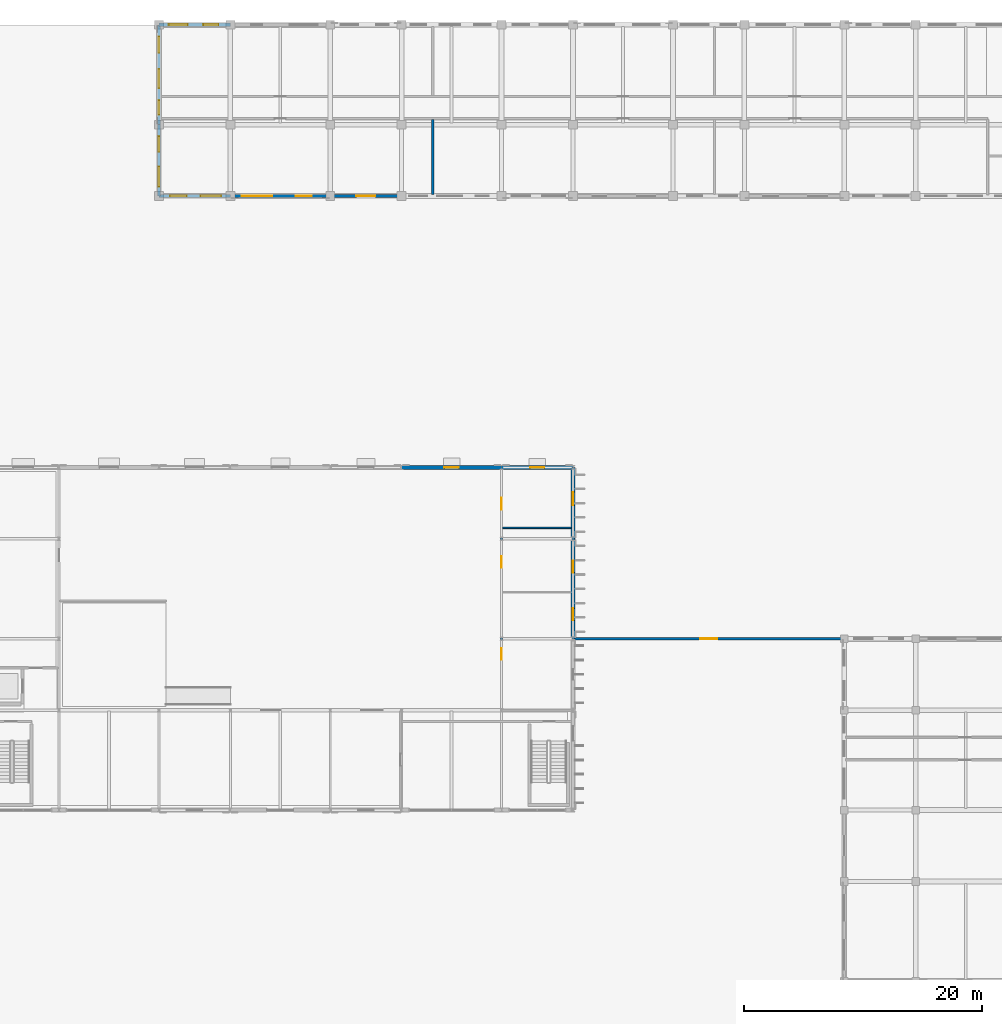
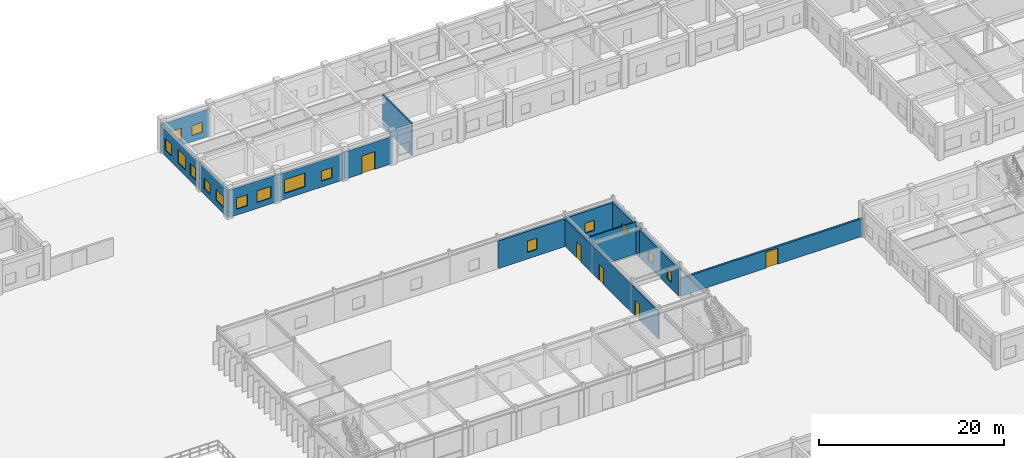
# One storey, part 39 of 67: 16 windows, 14 walls, 5 doors, 21 openings.
"""IFC4 building model written with IfcOpenShell, lengths in metres."""

from ifc_helpers import new_model, si_unit, direction, frame, frame_2d, origin, place, context, subcontext, project, spatial, rectangle, extrude, material, layer, layer_set, type_object, element, fill, save


model = new_model("IFC4")

# Units and contexts
model_context = context("Model", 3, precision=1e-05, world=origin(), true_north=direction((0.0, 1.0)))
body_context = subcontext(model_context, "Body", "Model", "MODEL_VIEW")
ifc_project = project(units=[si_unit("LENGTHUNIT", "METRE"), si_unit("AREAUNIT", "SQUARE_METRE"), si_unit("VOLUMEUNIT", "CUBIC_METRE"), si_unit("PLANEANGLEUNIT", "RADIAN"), si_unit("MASSUNIT", "GRAM", prefix="KILO"), si_unit("THERMODYNAMICTEMPERATUREUNIT", "KELVIN")], contexts=[model_context])

# Site, building, storey
site_placement = place(None, origin())
site = spatial("IfcSite", under=ifc_project, at=site_placement, CompositionType="ELEMENT")
building_placement = place(site_placement, origin())
building = spatial("IfcBuilding", under=site, at=building_placement, Name="Thalorik Housing Commons", CompositionType="ELEMENT")
storey_placement = place(building_placement, origin())
storey = spatial("IfcBuildingStorey", under=building, at=storey_placement, Name="L00", CompositionType="ELEMENT", Elevation=0.0)

# Wall, opening, door
ifc_material_1 = material(Name="White precast concrete C40/50", Category="concrete")
ifc_layer_1 = layer(ifc_material_1, 0.2451171875, Name="White precast concrete C40/50", Category="concrete")
ifc_layer_set_1 = layer_set([ifc_layer_1], Name="White precast concrete C40/50")
wall_type_1 = type_object("IfcWallType", Name="ARC-WAL-EXT-245", PredefinedType="STANDARD", material=ifc_layer_set_1)
wall_1_placement = place(storey_placement, frame((115.199951171875, 72.0, 0.0), z_axis=(0.0, 0.0, 1.0), x_axis=(1.0, 0.0, 0.0)))
wall_1 = element("IfcWall", 1, at=wall_1_placement, inside=storey, type_object=wall_type_1, Name="L00 Exterior Wall WAL-L00-CGATE-04", PredefinedType="STANDARD", context=body_context, shape_type="SweptSolid", body=[
    extrude(rectangle(XDim=22.800048828125, YDim=0.2451171875, at=frame_2d((11.39990234375, 0.0))), origin(), (0.0, 0.0, 1.0), 2.35009765625),
])
opening_1_placement = place(wall_1_placement, frame((10.675048828125, 0.0, 0.0)))
opening_1 = element("IfcOpeningElement", 2, at=opening_1_placement, cuts=wall_1, Name="Opening ED-0458", PredefinedType="OPENING", context=body_context, shape_type="SweptSolid", body=[
    extrude(rectangle(XDim=1.449951171875, YDim=2.10009765625, at=frame_2d((0.72509765625, 1.050048828125))), frame((0.0, 0.132568359375, 0.0), z_axis=(0.0, -1.0, 0.0), x_axis=(1.0, 0.0, 0.0)), (0.0, 0.0, 1.0), 0.26513671875),
])
ifc_material_2 = material(Name="Steel S355", Category="steel")
door_type_1 = type_object("IfcDoorType", Name="ARC-GT-COURT-1450", OperationType="NOTDEFINED", PredefinedType="GATE", material=ifc_material_2)
door_1_placement = place(opening_1_placement, frame((1.449951171875, 0.0, 0.0), z_axis=(0.0, 0.0, 1.0), x_axis=(-1.0, 0.0, 0.0)))
door_1 = element("IfcDoor", 3, at=door_1_placement, inside=storey, type_object=door_type_1, Name="L00 Courtyard Access Gate 4", OperationType="SINGLE_SWING_LEFT", OverallHeight=2.10009765625, OverallWidth=1.449951171875, PredefinedType="GATE", context=body_context, shape_type="SweptSolid", body=[
    extrude(rectangle(XDim=1.449951171875, YDim=2.10009765625, at=frame_2d((0.72509765625, 1.050048828125))), frame((0.0, 0.02490234375, 0.0), z_axis=(0.0, -1.0, 0.0), x_axis=(1.0, 0.0, 0.0)), (0.0, 0.0, 1.0), 0.050048828125),
])
fill(opening_1, door_1)

# Wall, openings, windows
ifc_layer_2 = layer(ifc_material_1, 0.2548828125, Name="White precast concrete C40/50", Category="concrete")
ifc_layer_set_2 = layer_set([ifc_layer_2], Name="White precast concrete C40/50")
wall_type_2 = type_object("IfcWallType", Name="ARC-WAL-EXT-255", PredefinedType="STANDARD", material=ifc_layer_set_2)
wall_2_placement = place(storey_placement, frame((86.39990234375, 123.60009765625, 0.0), z_axis=(0.0, 0.0, 1.0), x_axis=(-1.0, 0.0, 0.0)))
wall_2 = element("IfcWall", 4, at=wall_2_placement, inside=storey, type_object=wall_type_2, Name="L00 Exterior Wall WAL-EXT-L00-B-0383", PredefinedType="STANDARD", context=body_context, shape_type="SweptSolid", body=[
    extrude(rectangle(XDim=6.0, YDim=0.2548828125, at=frame_2d((3.0, 0.0))), origin(), (0.0, 0.0, 1.0), 3.5849609375),
])
opening_2_placement = place(wall_2_placement, frame((1.0048828125, 0.0, 0.780029296875)))
opening_2 = element("IfcOpeningElement", 5, at=opening_2_placement, cuts=wall_2, Name="Opening W-46", PredefinedType="OPENING", context=body_context, shape_type="SweptSolid", body=[
    extrude(rectangle(XDim=1.25, YDim=1.300048828125, at=frame_2d((0.625, 0.64990234375))), frame((0.0, 0.137451171875, 0.0), z_axis=(0.0, -1.0, 0.0), x_axis=(1.0, 0.0, 0.0)), (0.0, 0.0, 1.0), 0.27490234375),
])
opening_3_placement = place(wall_2_placement, frame((3.580078125, 0.0, 0.780029296875)))
opening_3 = element("IfcOpeningElement", 6, at=opening_3_placement, cuts=wall_2, Name="Opening W-53", PredefinedType="OPENING", context=body_context, shape_type="SweptSolid", body=[
    extrude(rectangle(XDim=1.580078125, YDim=1.47998046875, at=frame_2d((0.7900390625, 0.739990234375))), frame((0.0, 0.137451171875, 0.0), z_axis=(0.0, -1.0, 0.0), x_axis=(1.0, 0.0, 0.0)), (0.0, 0.0, 1.0), 0.27490234375),
])
ifc_material_3 = material(Name="Anodised aluminium and solar-control low-E glass", Category="aluminium")
window_type_1 = type_object("IfcWindowType", Name="ARC-WIN-46", PartitioningType="SINGLE_PANEL", PredefinedType="WINDOW", material=ifc_material_3)
window_1_placement = place(opening_2_placement, origin())
window_1 = element("IfcWindow", 7, at=window_1_placement, inside=storey, type_object=window_type_1, Name="L00 Facade Window 680", OverallHeight=1.300048828125, OverallWidth=1.25, PartitioningType="SINGLE_PANEL", PredefinedType="WINDOW", context=body_context, shape_type="SweptSolid", body=[
    extrude(rectangle(XDim=1.25, YDim=1.300048828125, at=frame_2d((0.625, 0.64990234375))), frame((0.0, 0.030029296875, 0.0), z_axis=(0.0, -1.0, 0.0), x_axis=(1.0, 0.0, 0.0)), (0.0, 0.0, 1.0), 0.06005859375),
])
fill(opening_2, window_1)
window_type_2 = type_object("IfcWindowType", Name="ARC-WIN-53", PartitioningType="SINGLE_PANEL", PredefinedType="WINDOW", material=ifc_material_3)
window_2_placement = place(opening_3_placement, origin())
window_2 = element("IfcWindow", 8, at=window_2_placement, inside=storey, type_object=window_type_2, Name="L00 Facade Window 681", OverallHeight=1.47998046875, OverallWidth=1.580078125, PartitioningType="SINGLE_PANEL", PredefinedType="WINDOW", context=body_context, shape_type="SweptSolid", body=[
    extrude(rectangle(XDim=1.580078125, YDim=1.47998046875, at=frame_2d((0.7900390625, 0.739990234375))), frame((0.0, 0.030029296875, 0.0), z_axis=(0.0, -1.0, 0.0), x_axis=(1.0, 0.0, 0.0)), (0.0, 0.0, 1.0), 0.06005859375),
])
fill(opening_3, window_2)

wall_3_placement = place(storey_placement, frame((80.39990234375, 123.60009765625, 0.0), z_axis=(0.0, 0.0, 1.0), x_axis=(0.0, -1.0, 0.0)))
wall_3 = element("IfcWall", 9, at=wall_3_placement, inside=storey, type_object=wall_type_2, Name="L00 Exterior Wall WAL-EXT-L00-B-0384", PredefinedType="STANDARD", context=body_context, shape_type="SweptSolid", body=[
    extrude(rectangle(XDim=8.400146484375, YDim=0.2548828125, at=frame_2d((4.2001953125, 0.0))), origin(), (0.0, 0.0, 1.0), 3.485107421875),
])
opening_4_placement = place(wall_3_placement, frame((1.007568359375, 0.0, 0.780029296875)))
opening_4 = element("IfcOpeningElement", 10, at=opening_4_placement, cuts=wall_3, Name="Opening W-07", PredefinedType="OPENING", context=body_context, shape_type="SweptSolid", body=[
    extrude(rectangle(XDim=1.35009765625, YDim=1.550048828125, at=frame_2d((0.675048828125, 0.77490234375))), frame((0.0, 0.137451171875, 0.0), z_axis=(0.0, -1.0, 0.0), x_axis=(1.0, 0.0, 0.0)), (0.0, 0.0, 1.0), 0.27490234375),
])
opening_5_placement = place(wall_3_placement, frame((3.7275390625, 0.0, 0.780029296875)))
opening_5 = element("IfcOpeningElement", 11, at=opening_5_placement, cuts=wall_3, Name="Opening W-14", PredefinedType="OPENING", context=body_context, shape_type="SweptSolid", body=[
    extrude(rectangle(XDim=1.60009765625, YDim=1.75, at=frame_2d((0.800048828125, 0.875))), frame((0.0, 0.137451171875, 0.0), z_axis=(0.0, -1.0, 0.0), x_axis=(1.0, 0.0, 0.0)), (0.0, 0.0, 1.0), 0.27490234375),
])
opening_6_placement = place(wall_3_placement, frame((6.35009765625, 0.0, 0.780029296875)))
opening_6 = element("IfcOpeningElement", 12, at=opening_6_placement, cuts=wall_3, Name="Opening W-05", PredefinedType="OPENING", context=body_context, shape_type="SweptSolid", body=[
    extrude(rectangle(XDim=1.199951171875, YDim=1.5, at=frame_2d((0.60009765625, 0.75))), frame((0.0, 0.137451171875, 0.0), z_axis=(0.0, -1.0, 0.0), x_axis=(1.0, 0.0, 0.0)), (0.0, 0.0, 1.0), 0.27490234375),
])
window_type_3 = type_object("IfcWindowType", Name="ARC-WIN-05", PartitioningType="SINGLE_PANEL", PredefinedType="WINDOW", material=ifc_material_3)
window_3_placement = place(opening_6_placement, origin())
window_3 = element("IfcWindow", 13, at=window_3_placement, inside=storey, type_object=window_type_3, Name="L00 Facade Window 684", OverallHeight=1.5, OverallWidth=1.199951171875, PartitioningType="SINGLE_PANEL", PredefinedType="WINDOW", context=body_context, shape_type="SweptSolid", body=[
    extrude(rectangle(XDim=1.199951171875, YDim=1.5, at=frame_2d((0.60009765625, 0.75))), frame((0.0, 0.030029296875, 0.0), z_axis=(0.0, -1.0, 0.0), x_axis=(1.0, 0.0, 0.0)), (0.0, 0.0, 1.0), 0.06005859375),
])
fill(opening_6, window_3)
window_type_4 = type_object("IfcWindowType", Name="ARC-WIN-07", PartitioningType="SINGLE_PANEL", PredefinedType="WINDOW", material=ifc_material_3)
window_4_placement = place(opening_4_placement, origin())
window_4 = element("IfcWindow", 14, at=window_4_placement, inside=storey, type_object=window_type_4, Name="L00 Facade Window 682", OverallHeight=1.550048828125, OverallWidth=1.35009765625, PartitioningType="SINGLE_PANEL", PredefinedType="WINDOW", context=body_context, shape_type="SweptSolid", body=[
    extrude(rectangle(XDim=1.35009765625, YDim=1.550048828125, at=frame_2d((0.675048828125, 0.77490234375))), frame((0.0, 0.030029296875, 0.0), z_axis=(0.0, -1.0, 0.0), x_axis=(1.0, 0.0, 0.0)), (0.0, 0.0, 1.0), 0.06005859375),
])
fill(opening_4, window_4)
window_type_5 = type_object("IfcWindowType", Name="ARC-WIN-14", PartitioningType="DOUBLE_PANEL_VERTICAL", PredefinedType="WINDOW", material=ifc_material_3)
window_5_placement = place(opening_5_placement, origin())
window_5 = element("IfcWindow", 15, at=window_5_placement, inside=storey, type_object=window_type_5, Name="L00 Facade Window 683", OverallHeight=1.75, OverallWidth=1.60009765625, PartitioningType="DOUBLE_PANEL_VERTICAL", PredefinedType="WINDOW", context=body_context, shape_type="SweptSolid", body=[
    extrude(rectangle(XDim=1.60009765625, YDim=1.75, at=frame_2d((0.800048828125, 0.875))), frame((0.0, 0.030029296875, 0.0), z_axis=(0.0, -1.0, 0.0), x_axis=(1.0, 0.0, 0.0)), (0.0, 0.0, 1.0), 0.06005859375),
])
fill(opening_5, window_5)

wall_4_placement = place(storey_placement, frame((80.39990234375, 115.199951171875, 0.0), z_axis=(0.0, 0.0, 1.0), x_axis=(0.0, -1.0, 0.0)))
wall_4 = element("IfcWall", 16, at=wall_4_placement, inside=storey, type_object=wall_type_2, Name="L00 Exterior Wall WAL-EXT-L00-B-0385", PredefinedType="STANDARD", context=body_context, shape_type="SweptSolid", body=[
    extrude(rectangle(XDim=6.0, YDim=0.2548828125, at=frame_2d((3.0, 0.0))), origin(), (0.0, 0.0, 1.0), 3.5849609375),
])
opening_7_placement = place(wall_4_placement, frame((0.969970703125, 0.0, 0.780029296875)))
opening_7 = element("IfcOpeningElement", 17, at=opening_7_placement, cuts=wall_4, Name="Opening W-48", PredefinedType="OPENING", context=body_context, shape_type="SweptSolid", body=[
    extrude(rectangle(XDim=1.320068359375, YDim=1.35009765625, at=frame_2d((0.66015625, 0.675048828125))), frame((0.0, 0.137451171875, 0.0), z_axis=(0.0, -1.0, 0.0), x_axis=(1.0, 0.0, 0.0)), (0.0, 0.0, 1.0), 0.27490234375),
])
opening_8_placement = place(wall_4_placement, frame((3.530029296875, 0.0, 0.780029296875)))
opening_8 = element("IfcOpeningElement", 18, at=opening_8_placement, cuts=wall_4, Name="Opening W-55", PredefinedType="OPENING", context=body_context, shape_type="SweptSolid", body=[
    extrude(rectangle(XDim=1.679931640625, YDim=1.4599609375, at=frame_2d((0.83984375, 0.72998046875))), frame((0.0, 0.137451171875, 0.0), z_axis=(0.0, -1.0, 0.0), x_axis=(1.0, 0.0, 0.0)), (0.0, 0.0, 1.0), 0.27490234375),
])
window_type_6 = type_object("IfcWindowType", Name="ARC-WIN-48", PartitioningType="SINGLE_PANEL", PredefinedType="WINDOW", material=ifc_material_3)
window_6_placement = place(opening_7_placement, origin())
window_6 = element("IfcWindow", 19, at=window_6_placement, inside=storey, type_object=window_type_6, Name="L00 Facade Window 685", OverallHeight=1.35009765625, OverallWidth=1.320068359375, PartitioningType="SINGLE_PANEL", PredefinedType="WINDOW", context=body_context, shape_type="SweptSolid", body=[
    extrude(rectangle(XDim=1.320068359375, YDim=1.35009765625, at=frame_2d((0.66015625, 0.675048828125))), frame((0.0, 0.030029296875, 0.0), z_axis=(0.0, -1.0, 0.0), x_axis=(1.0, 0.0, 0.0)), (0.0, 0.0, 1.0), 0.06005859375),
])
fill(opening_7, window_6)
window_type_7 = type_object("IfcWindowType", Name="ARC-WIN-55", PartitioningType="DOUBLE_PANEL_VERTICAL", PredefinedType="WINDOW", material=ifc_material_3)
window_7_placement = place(opening_8_placement, origin())
window_7 = element("IfcWindow", 20, at=window_7_placement, inside=storey, type_object=window_type_7, Name="L00 Facade Window 686", OverallHeight=1.4599609375, OverallWidth=1.679931640625, PartitioningType="DOUBLE_PANEL_VERTICAL", PredefinedType="WINDOW", context=body_context, shape_type="SweptSolid", body=[
    extrude(rectangle(XDim=1.679931640625, YDim=1.4599609375, at=frame_2d((0.83984375, 0.72998046875))), frame((0.0, 0.030029296875, 0.0), z_axis=(0.0, -1.0, 0.0), x_axis=(1.0, 0.0, 0.0)), (0.0, 0.0, 1.0), 0.06005859375),
])
fill(opening_8, window_7)

wall_5_placement = place(storey_placement, frame((80.39990234375, 109.199951171875, 0.0), z_axis=(0.0, 0.0, 1.0), x_axis=(1.0, 0.0, 0.0)))
wall_5 = element("IfcWall", 21, at=wall_5_placement, inside=storey, type_object=wall_type_2, Name="L00 Exterior Wall WAL-EXT-L00-B-0386", PredefinedType="STANDARD", context=body_context, shape_type="SweptSolid", body=[
    extrude(rectangle(XDim=6.0, YDim=0.2548828125, at=frame_2d((3.0, 0.0))), origin(), (0.0, 0.0, 1.0), 3.5849609375),
])
opening_9_placement = place(wall_5_placement, frame((0.93994140625, 0.0, 0.780029296875)))
opening_9 = element("IfcOpeningElement", 22, at=opening_9_placement, cuts=wall_5, Name="Opening W-49", PredefinedType="OPENING", context=body_context, shape_type="SweptSolid", body=[
    extrude(rectangle(XDim=1.3798828125, YDim=1.47998046875, at=frame_2d((0.68994140625, 0.739990234375))), frame((0.0, 0.137451171875, 0.0), z_axis=(0.0, -1.0, 0.0), x_axis=(1.0, 0.0, 0.0)), (0.0, 0.0, 1.0), 0.27490234375),
])
opening_10_placement = place(wall_5_placement, frame((3.510009765625, 0.0, 0.780029296875)))
opening_10 = element("IfcOpeningElement", 23, at=opening_10_placement, cuts=wall_5, Name="Opening W-56", PredefinedType="OPENING", context=body_context, shape_type="SweptSolid", body=[
    extrude(rectangle(XDim=1.719970703125, YDim=1.52001953125, at=frame_2d((0.85986328125, 0.760009765625))), frame((0.0, 0.137451171875, 0.0), z_axis=(0.0, -1.0, 0.0), x_axis=(1.0, 0.0, 0.0)), (0.0, 0.0, 1.0), 0.27490234375),
])
window_type_8 = type_object("IfcWindowType", Name="ARC-WIN-49", PartitioningType="SINGLE_PANEL", PredefinedType="WINDOW", material=ifc_material_3)
window_8_placement = place(opening_9_placement, origin())
window_8 = element("IfcWindow", 24, at=window_8_placement, inside=storey, type_object=window_type_8, Name="L00 Facade Window 687", OverallHeight=1.47998046875, OverallWidth=1.3798828125, PartitioningType="SINGLE_PANEL", PredefinedType="WINDOW", context=body_context, shape_type="SweptSolid", body=[
    extrude(rectangle(XDim=1.3798828125, YDim=1.47998046875, at=frame_2d((0.68994140625, 0.739990234375))), frame((0.0, 0.030029296875, 0.0), z_axis=(0.0, -1.0, 0.0), x_axis=(1.0, 0.0, 0.0)), (0.0, 0.0, 1.0), 0.06005859375),
])
fill(opening_9, window_8)
window_type_9 = type_object("IfcWindowType", Name="ARC-WIN-56", PartitioningType="DOUBLE_PANEL_VERTICAL", PredefinedType="WINDOW", material=ifc_material_3)
window_9_placement = place(opening_10_placement, origin())
window_9 = element("IfcWindow", 25, at=window_9_placement, inside=storey, type_object=window_type_9, Name="L00 Facade Window 688", OverallHeight=1.52001953125, OverallWidth=1.719970703125, PartitioningType="DOUBLE_PANEL_VERTICAL", PredefinedType="WINDOW", context=body_context, shape_type="SweptSolid", body=[
    extrude(rectangle(XDim=1.719970703125, YDim=1.52001953125, at=frame_2d((0.85986328125, 0.760009765625))), frame((0.0, 0.030029296875, 0.0), z_axis=(0.0, -1.0, 0.0), x_axis=(1.0, 0.0, 0.0)), (0.0, 0.0, 1.0), 0.06005859375),
])
fill(opening_10, window_9)

wall_6_placement = place(storey_placement, frame((86.39990234375, 109.199951171875, 0.0), z_axis=(0.0, 0.0, 1.0), x_axis=(1.0, 0.0, 0.0)))
wall_6 = element("IfcWall", 26, at=wall_6_placement, inside=storey, type_object=wall_type_2, Name="L00 Exterior Wall WAL-EXT-L00-B-0387", PredefinedType="STANDARD", context=body_context, shape_type="SweptSolid", body=[
    extrude(rectangle(XDim=8.400146484375, YDim=0.2548828125, at=frame_2d((4.2001953125, 0.0))), origin(), (0.0, 0.0, 1.0), 3.485107421875),
])
opening_11_placement = place(wall_6_placement, frame((0.955078125, 0.0, 0.780029296875)))
opening_11 = element("IfcOpeningElement", 27, at=opening_11_placement, cuts=wall_6, Name="Opening W-38", PredefinedType="OPENING", context=body_context, shape_type="SweptSolid", body=[
    extrude(rectangle(XDim=2.550048828125, YDim=1.800048828125, at=frame_2d((1.27490234375, 0.89990234375))), frame((0.0, 0.137451171875, 0.0), z_axis=(0.0, -1.0, 0.0), x_axis=(1.0, 0.0, 0.0)), (0.0, 0.0, 1.0), 0.27490234375),
])
opening_12_placement = place(wall_6_placement, frame((5.510009765625, 0.0, 0.780029296875)))
opening_12 = element("IfcOpeningElement", 28, at=opening_12_placement, cuts=wall_6, Name="Opening W-48", PredefinedType="OPENING", context=body_context, shape_type="SweptSolid", body=[
    extrude(rectangle(XDim=1.320068359375, YDim=1.35009765625, at=frame_2d((0.66015625, 0.675048828125))), frame((0.0, 0.137451171875, 0.0), z_axis=(0.0, -1.0, 0.0), x_axis=(1.0, 0.0, 0.0)), (0.0, 0.0, 1.0), 0.27490234375),
])
window_type_10 = type_object("IfcWindowType", Name="ARC-WIN-38", PartitioningType="DOUBLE_PANEL_VERTICAL", PredefinedType="WINDOW", material=ifc_material_3)
window_10_placement = place(opening_11_placement, origin())
window_10 = element("IfcWindow", 29, at=window_10_placement, inside=storey, type_object=window_type_10, Name="L00 Facade Window 689", OverallHeight=1.800048828125, OverallWidth=2.550048828125, PartitioningType="DOUBLE_PANEL_VERTICAL", PredefinedType="WINDOW", context=body_context, shape_type="SweptSolid", body=[
    extrude(rectangle(XDim=2.550048828125, YDim=1.800048828125, at=frame_2d((1.27490234375, 0.89990234375))), frame((0.0, 0.030029296875, 0.0), z_axis=(0.0, -1.0, 0.0), x_axis=(1.0, 0.0, 0.0)), (0.0, 0.0, 1.0), 0.06005859375),
])
fill(opening_11, window_10)
window_11_placement = place(opening_12_placement, origin())
window_11 = element("IfcWindow", 30, at=window_11_placement, inside=storey, type_object=window_type_6, Name="L00 Facade Window 690", OverallHeight=1.35009765625, OverallWidth=1.320068359375, PartitioningType="SINGLE_PANEL", PredefinedType="WINDOW", context=body_context, shape_type="SweptSolid", body=[
    extrude(rectangle(XDim=1.320068359375, YDim=1.35009765625, at=frame_2d((0.66015625, 0.675048828125))), frame((0.0, 0.030029296875, 0.0), z_axis=(0.0, -1.0, 0.0), x_axis=(1.0, 0.0, 0.0)), (0.0, 0.0, 1.0), 0.06005859375),
])
fill(opening_12, window_11)

# Wall, opening, door
wall_7_placement = place(storey_placement, frame((94.800048828125, 109.199951171875, 0.0), z_axis=(0.0, 0.0, 1.0), x_axis=(1.0, 0.0, 0.0)))
wall_7 = element("IfcWall", 31, at=wall_7_placement, inside=storey, type_object=wall_type_2, Name="L00 Exterior Wall WAL-EXT-L00-B-0388", PredefinedType="STANDARD", context=body_context, shape_type="SweptSolid", body=[
    extrude(rectangle(XDim=6.0, YDim=0.2548828125, at=frame_2d((3.0, 0.0))), origin(), (0.0, 0.0, 1.0), 3.5849609375),
])
opening_13_placement = place(wall_7_placement, frame((2.199951171875, 0.0, 0.0)))
opening_13 = element("IfcOpeningElement", 32, at=opening_13_placement, cuts=wall_7, Name="Opening ED-0119", PredefinedType="OPENING", context=body_context, shape_type="SweptSolid", body=[
    extrude(rectangle(XDim=1.60009765625, YDim=2.35009765625, at=frame_2d((0.800048828125, 1.175048828125))), frame((0.0, 0.137451171875, 0.0), z_axis=(0.0, -1.0, 0.0), x_axis=(1.0, 0.0, 0.0)), (0.0, 0.0, 1.0), 0.27490234375),
])
ifc_material_4 = material(Name="Anodised aluminium and laminated safety glass", Category="aluminium")
door_type_2 = type_object("IfcDoorType", Name="ARC-DR-EXT-LOB-1600", OperationType="NOTDEFINED", PredefinedType="DOOR", material=ifc_material_4)
door_2_placement = place(opening_13_placement, frame((1.60009765625, 0.0, 0.0), z_axis=(0.0, 0.0, 1.0), x_axis=(-1.0, 0.0, 0.0)))
door_2 = element("IfcDoor", 33, at=door_2_placement, inside=storey, type_object=door_type_2, Name="L00 Block B Courtyard Entrance Door", OperationType="DOUBLE_DOOR_SINGLE_SWING", OverallHeight=2.35009765625, OverallWidth=1.60009765625, PredefinedType="DOOR", context=body_context, shape_type="SweptSolid", body=[
    extrude(rectangle(XDim=1.60009765625, YDim=2.35009765625, at=frame_2d((0.800048828125, 1.175048828125))), frame((0.0, 0.02490234375, 0.0), z_axis=(0.0, -1.0, 0.0), x_axis=(1.0, 0.0, 0.0)), (0.0, 0.0, 1.0), 0.050048828125),
])
fill(opening_13, door_2)

# Wall, openings, windows
ifc_layer_3 = layer(ifc_material_1, 0.320068359375, Name="White precast concrete C40/50", Category="concrete")
ifc_layer_set_3 = layer_set([ifc_layer_3], Name="White precast concrete C40/50")
wall_type_3 = type_object("IfcWallType", Name="ARC-WAL-EXT-320", PredefinedType="STANDARD", material=ifc_layer_set_3)
wall_8_placement = place(storey_placement, frame((115.199951171875, 72.0, 0.0), z_axis=(0.0, 0.0, 1.0), x_axis=(0.0, 1.0, 0.0)))
wall_8 = element("IfcWall", 34, at=wall_8_placement, inside=storey, type_object=wall_type_3, Name="L00 Exterior Wall WAL-HALL-L00-1288", PredefinedType="STANDARD", context=body_context, shape_type="SweptSolid", body=[
    extrude(rectangle(XDim=8.39990234375, YDim=0.320068359375, at=frame_2d((4.199951171875, 0.0))), origin(), (0.0, 0.0, 1.0), 3.64990234375),
])
opening_14_placement = place(wall_8_placement, frame((1.554931640625, 0.0, 0.85009765625)))
opening_14 = element("IfcOpeningElement", 35, at=opening_14_placement, cuts=wall_8, Name="Opening W-02", PredefinedType="OPENING", context=body_context, shape_type="SweptSolid", body=[
    extrude(rectangle(XDim=1.0, YDim=1.25, at=frame_2d((0.5, 0.625))), frame((0.0, 0.169921875, 0.0), z_axis=(0.0, -1.0, 0.0), x_axis=(1.0, 0.0, 0.0)), (0.0, 0.0, 1.0), 0.340087890625),
])
opening_15_placement = place(wall_8_placement, frame((5.56494140625, 0.0, 0.85009765625)))
opening_15 = element("IfcOpeningElement", 36, at=opening_15_placement, cuts=wall_8, Name="Opening W-02", PredefinedType="OPENING", context=body_context, shape_type="SweptSolid", body=[
    extrude(rectangle(XDim=1.0, YDim=1.25, at=frame_2d((0.5, 0.625))), frame((0.0, 0.169921875, 0.0), z_axis=(0.0, -1.0, 0.0), x_axis=(1.0, 0.0, 0.0)), (0.0, 0.0, 1.0), 0.340087890625),
])
window_type_11 = type_object("IfcWindowType", Name="ARC-WIN-02", PartitioningType="SINGLE_PANEL", PredefinedType="WINDOW", material=ifc_material_3)
window_12_placement = place(opening_14_placement, origin())
window_12 = element("IfcWindow", 37, at=window_12_placement, inside=storey, type_object=window_type_11, Name="L00 Facade Window 2329", OverallHeight=1.25, OverallWidth=1.0, PartitioningType="SINGLE_PANEL", PredefinedType="WINDOW", context=body_context, shape_type="SweptSolid", body=[
    extrude(rectangle(XDim=1.0, YDim=1.25, at=frame_2d((0.5, 0.625))), frame((0.0, 0.030029296875, 0.0), z_axis=(0.0, -1.0, 0.0), x_axis=(1.0, 0.0, 0.0)), (0.0, 0.0, 1.0), 0.06005859375),
])
fill(opening_14, window_12)
window_13_placement = place(opening_15_placement, origin())
window_13 = element("IfcWindow", 38, at=window_13_placement, inside=storey, type_object=window_type_11, Name="L00 Facade Window 2330", OverallHeight=1.25, OverallWidth=1.0, PartitioningType="SINGLE_PANEL", PredefinedType="WINDOW", context=body_context, shape_type="SweptSolid", body=[
    extrude(rectangle(XDim=1.0, YDim=1.25, at=frame_2d((0.5, 0.625))), frame((0.0, 0.030029296875, 0.0), z_axis=(0.0, -1.0, 0.0), x_axis=(1.0, 0.0, 0.0)), (0.0, 0.0, 1.0), 0.06005859375),
])
fill(opening_15, window_13)

# Wall, opening, window
wall_9_placement = place(storey_placement, frame((115.199951171875, 80.39990234375, 0.0), z_axis=(0.0, 0.0, 1.0), x_axis=(0.0, 1.0, 0.0)))
wall_9 = element("IfcWall", 39, at=wall_9_placement, inside=storey, type_object=wall_type_3, Name="L00 Exterior Wall WAL-HALL-L00-1289", PredefinedType="STANDARD", context=body_context, shape_type="SweptSolid", body=[
    extrude(rectangle(XDim=6.0, YDim=0.320068359375, at=frame_2d((3.0, 0.0))), origin(), (0.0, 0.0, 1.0), 3.77197265625),
])
opening_16_placement = place(wall_9_placement, frame((2.81494140625, 0.0, 0.85009765625)))
opening_16 = element("IfcOpeningElement", 40, at=opening_16_placement, cuts=wall_9, Name="Opening W-03", PredefinedType="OPENING", context=body_context, shape_type="SweptSolid", body=[
    extrude(rectangle(XDim=1.10009765625, YDim=1.300048828125, at=frame_2d((0.550048828125, 0.64990234375))), frame((0.0, 0.169921875, 0.0), z_axis=(0.0, -1.0, 0.0), x_axis=(1.0, 0.0, 0.0)), (0.0, 0.0, 1.0), 0.340087890625),
])
window_type_12 = type_object("IfcWindowType", Name="ARC-WIN-03", PartitioningType="SINGLE_PANEL", PredefinedType="WINDOW", material=ifc_material_3)
window_14_placement = place(opening_16_placement, origin())
window_14 = element("IfcWindow", 41, at=window_14_placement, inside=storey, type_object=window_type_12, Name="L00 Facade Window 2331", OverallHeight=1.300048828125, OverallWidth=1.10009765625, PartitioningType="SINGLE_PANEL", PredefinedType="WINDOW", context=body_context, shape_type="SweptSolid", body=[
    extrude(rectangle(XDim=1.10009765625, YDim=1.300048828125, at=frame_2d((0.550048828125, 0.64990234375))), frame((0.0, 0.030029296875, 0.0), z_axis=(0.0, -1.0, 0.0), x_axis=(1.0, 0.0, 0.0)), (0.0, 0.0, 1.0), 0.06005859375),
])
fill(opening_16, window_14)

wall_10_placement = place(storey_placement, frame((115.199951171875, 86.39990234375, 0.0), z_axis=(0.0, 0.0, 1.0), x_axis=(-1.0, 0.0, 0.0)))
wall_10 = element("IfcWall", 42, at=wall_10_placement, inside=storey, type_object=wall_type_3, Name="L00 Exterior Wall WAL-HALL-L00-1290", PredefinedType="STANDARD", context=body_context, shape_type="SweptSolid", body=[
    extrude(rectangle(XDim=6.0, YDim=0.320068359375, at=frame_2d((3.0, 0.0))), origin(), (0.0, 0.0, 1.0), 3.721923828125),
])
opening_17_placement = place(wall_10_placement, frame((2.39990234375, 0.0, 0.85009765625)))
opening_17 = element("IfcOpeningElement", 43, at=opening_17_placement, cuts=wall_10, Name="Opening W-04", PredefinedType="OPENING", context=body_context, shape_type="SweptSolid", body=[
    extrude(rectangle(XDim=1.199951171875, YDim=1.35009765625, at=frame_2d((0.60009765625, 0.675048828125))), frame((0.0, 0.169921875, 0.0), z_axis=(0.0, -1.0, 0.0), x_axis=(1.0, 0.0, 0.0)), (0.0, 0.0, 1.0), 0.340087890625),
])
window_type_13 = type_object("IfcWindowType", Name="ARC-WIN-04", PartitioningType="SINGLE_PANEL", PredefinedType="WINDOW", material=ifc_material_3)
window_15_placement = place(opening_17_placement, origin())
window_15 = element("IfcWindow", 44, at=window_15_placement, inside=storey, type_object=window_type_13, Name="L00 Facade Window 2332", OverallHeight=1.35009765625, OverallWidth=1.199951171875, PartitioningType="SINGLE_PANEL", PredefinedType="WINDOW", context=body_context, shape_type="SweptSolid", body=[
    extrude(rectangle(XDim=1.199951171875, YDim=1.35009765625, at=frame_2d((0.60009765625, 0.675048828125))), frame((0.0, 0.030029296875, 0.0), z_axis=(0.0, -1.0, 0.0), x_axis=(1.0, 0.0, 0.0)), (0.0, 0.0, 1.0), 0.06005859375),
])
fill(opening_17, window_15)

wall_11_placement = place(storey_placement, frame((109.199951171875, 86.39990234375, 0.0), z_axis=(0.0, 0.0, 1.0), x_axis=(-1.0, 0.0, 0.0)))
wall_11 = element("IfcWall", 45, at=wall_11_placement, inside=storey, type_object=wall_type_3, Name="L00 Exterior Wall WAL-HALL-L00-1291", PredefinedType="STANDARD", context=body_context, shape_type="SweptSolid", body=[
    extrude(rectangle(XDim=8.39990234375, YDim=0.320068359375, at=frame_2d((4.199951171875, 0.0))), origin(), (0.0, 0.0, 1.0), 3.64599609375),
])
opening_18_placement = place(wall_11_placement, frame((3.60009765625, 0.0, 0.85009765625)))
opening_18 = element("IfcOpeningElement", 46, at=opening_18_placement, cuts=wall_11, Name="Opening W-05", PredefinedType="OPENING", context=body_context, shape_type="SweptSolid", body=[
    extrude(rectangle(XDim=1.199951171875, YDim=1.5, at=frame_2d((0.60009765625, 0.75))), frame((0.0, 0.169921875, 0.0), z_axis=(0.0, -1.0, 0.0), x_axis=(1.0, 0.0, 0.0)), (0.0, 0.0, 1.0), 0.340087890625),
])
window_16_placement = place(opening_18_placement, origin())
window_16 = element("IfcWindow", 47, at=window_16_placement, inside=storey, type_object=window_type_3, Name="L00 Facade Window 2333", OverallHeight=1.5, OverallWidth=1.199951171875, PartitioningType="SINGLE_PANEL", PredefinedType="WINDOW", context=body_context, shape_type="SweptSolid", body=[
    extrude(rectangle(XDim=1.199951171875, YDim=1.5, at=frame_2d((0.60009765625, 0.75))), frame((0.0, 0.030029296875, 0.0), z_axis=(0.0, -1.0, 0.0), x_axis=(1.0, 0.0, 0.0)), (0.0, 0.0, 1.0), 0.06005859375),
])
fill(opening_18, window_16)

# Wall
ifc_material_5 = material(Name="Ceramic masonry partition wall", Category="masonry")
ifc_layer_4 = layer(ifc_material_5, 0.139892578125, Name="Ceramic masonry partition wall", Category="masonry")
ifc_layer_set_4 = layer_set([ifc_layer_4], Name="Ceramic masonry partition wall")
wall_type_4 = type_object("IfcWallType", Name="ARC-WAL-PART-140", PredefinedType="PARTITIONING", material=ifc_layer_set_4)
wall_12_placement = place(storey_placement, frame((109.27587890625, 81.320068359375, 0.0), z_axis=(0.0, 0.0, 1.0), x_axis=(1.0, 0.0, 0.0)))
element("IfcWall", 48, at=wall_12_placement, inside=storey, type_object=wall_type_4, Name="L00 Hall Accessible Bathroom North Divider", PredefinedType="PARTITIONING", context=body_context, shape_type="SweptSolid", body=[
    extrude(rectangle(XDim=5.7841796875, YDim=0.139892578125, at=frame_2d((2.89208984375, 0.0))), origin(), (0.0, 0.0, 1.0), 4.199951171875),
])

# Wall, openings, doors
ifc_layer_5 = layer(ifc_material_5, 0.14794921875, Name="Ceramic masonry partition wall", Category="masonry")
ifc_layer_set_5 = layer_set([ifc_layer_5], Name="Ceramic masonry partition wall")
wall_type_5 = type_object("IfcWallType", Name="ARC-WAL-PART-150", PredefinedType="PARTITIONING", material=ifc_layer_set_5)
wall_13_placement = place(storey_placement, frame((109.199951171875, 66.10205078125, 0.0), z_axis=(0.0, 0.0, 1.0), x_axis=(0.0, 1.0, 0.0)))
wall_13 = element("IfcWall", 49, at=wall_13_placement, inside=storey, type_object=wall_type_5, Name="L00 Hall East Spine Wall", PredefinedType="PARTITIONING", context=body_context, shape_type="SweptSolid", body=[
    extrude(rectangle(XDim=20.135986328125, YDim=0.14794921875, at=frame_2d((10.06787109375, 0.0))), origin(), (0.0, 0.0, 1.0), 3.64990234375),
])
opening_19_placement = place(wall_13_placement, frame((4.14501953125, 0.0, 0.0)))
opening_19 = element("IfcOpeningElement", 50, at=opening_19_placement, cuts=wall_13, Name="Opening ID-2175", PredefinedType="OPENING", context=body_context, shape_type="SweptSolid", body=[
    extrude(rectangle(XDim=0.949951171875, YDim=2.10009765625, at=frame_2d((0.47509765625, 1.050048828125))), frame((0.0, 0.083984375, 0.0), z_axis=(0.0, -1.0, 0.0), x_axis=(1.0, 0.0, 0.0)), (0.0, 0.0, 1.0), 0.16796875),
])
opening_20_placement = place(wall_13_placement, frame((11.866943359375, 0.0, 0.0)))
opening_20 = element("IfcOpeningElement", 51, at=opening_20_placement, cuts=wall_13, Name="Opening ID-2176", PredefinedType="OPENING", context=body_context, shape_type="SweptSolid", body=[
    extrude(rectangle(XDim=0.949951171875, YDim=2.10009765625, at=frame_2d((0.47509765625, 1.050048828125))), frame((0.0, 0.083984375, 0.0), z_axis=(0.0, -1.0, 0.0), x_axis=(1.0, 0.0, 0.0)), (0.0, 0.0, 1.0), 0.16796875),
])
opening_21_placement = place(wall_13_placement, frame((16.75, 0.0, 0.0)))
opening_21 = element("IfcOpeningElement", 52, at=opening_21_placement, cuts=wall_13, Name="Opening ID-2177", PredefinedType="OPENING", context=body_context, shape_type="SweptSolid", body=[
    extrude(rectangle(XDim=1.0, YDim=2.10009765625, at=frame_2d((0.5, 1.050048828125))), frame((0.0, 0.083984375, 0.0), z_axis=(0.0, -1.0, 0.0), x_axis=(1.0, 0.0, 0.0)), (0.0, 0.0, 1.0), 0.16796875),
])
ifc_material_6 = material(Name="Engineered oak timber", Category="wood")
door_type_3 = type_object("IfcDoorType", Name="ARC-DR-INT-1000", OperationType="NOTDEFINED", PredefinedType="DOOR", material=ifc_material_6)
door_3_placement = place(opening_21_placement, origin())
door_3 = element("IfcDoor", 53, at=door_3_placement, inside=storey, type_object=door_type_3, Name="Hall Store Door", OperationType="SINGLE_SWING_RIGHT", OverallHeight=2.10009765625, OverallWidth=1.0, PredefinedType="DOOR", context=body_context, shape_type="SweptSolid", body=[
    extrude(rectangle(XDim=1.0, YDim=2.10009765625, at=frame_2d((0.5, 1.050048828125))), frame((0.0, 0.02490234375, 0.0), z_axis=(0.0, -1.0, 0.0), x_axis=(1.0, 0.0, 0.0)), (0.0, 0.0, 1.0), 0.050048828125),
])
fill(opening_21, door_3)
door_type_4 = type_object("IfcDoorType", Name="ARC-DR-INT-950", OperationType="NOTDEFINED", PredefinedType="DOOR", material=ifc_material_6)
door_4_placement = place(opening_19_placement, origin())
door_4 = element("IfcDoor", 54, at=door_4_placement, inside=storey, type_object=door_type_4, Name="Hall Public Bathroom Door", OperationType="SINGLE_SWING_RIGHT", OverallHeight=2.10009765625, OverallWidth=0.949951171875, PredefinedType="DOOR", context=body_context, shape_type="SweptSolid", body=[
    extrude(rectangle(XDim=0.949951171875, YDim=2.10009765625, at=frame_2d((0.47509765625, 1.050048828125))), frame((0.0, 0.02490234375, 0.0), z_axis=(0.0, -1.0, 0.0), x_axis=(1.0, 0.0, 0.0)), (0.0, 0.0, 1.0), 0.050048828125),
])
fill(opening_19, door_4)
door_5_placement = place(opening_20_placement, origin())
door_5 = element("IfcDoor", 55, at=door_5_placement, inside=storey, type_object=door_type_4, Name="Hall Accessible Bathroom Door", OperationType="SINGLE_SWING_LEFT", OverallHeight=2.10009765625, OverallWidth=0.949951171875, PredefinedType="DOOR", context=body_context, shape_type="SweptSolid", body=[
    extrude(rectangle(XDim=0.949951171875, YDim=2.10009765625, at=frame_2d((0.47509765625, 1.050048828125))), frame((0.0, 0.02490234375, 0.0), z_axis=(0.0, -1.0, 0.0), x_axis=(1.0, 0.0, 0.0)), (0.0, 0.0, 1.0), 0.050048828125),
])
fill(opening_20, door_5)

# Wall
ifc_material_7 = material(Name="Precast concrete C40/50 acoustic wall", Category="concrete")
ifc_layer_6 = layer(ifc_material_7, 0.199951171875, Name="Precast concrete C40/50 acoustic wall", Category="concrete")
ifc_layer_set_6 = layer_set([ifc_layer_6], Name="Precast concrete C40/50 acoustic wall")
wall_type_6 = type_object("IfcWallType", Name="ARC-WAL-PARTY-200", PredefinedType="PARTITIONING", material=ifc_layer_set_6)
wall_14_placement = place(storey_placement, frame((103.419921875, 109.32958984375, 0.0), z_axis=(0.0, 0.0, 1.0), x_axis=(0.0, 1.0, 0.0)))
element("IfcWall", 56, at=wall_14_placement, inside=storey, type_object=wall_type_6, Name="L00 Inter-Tenancy Wall 1A", PredefinedType="PARTITIONING", context=body_context, shape_type="SweptSolid", body=[
    extrude(rectangle(XDim=6.305908203125, YDim=0.199951171875, at=frame_2d((3.15283203125, 0.0))), origin(), (0.0, 0.0, 1.0), 4.199951171875),
])

save(model, "model.ifc")
